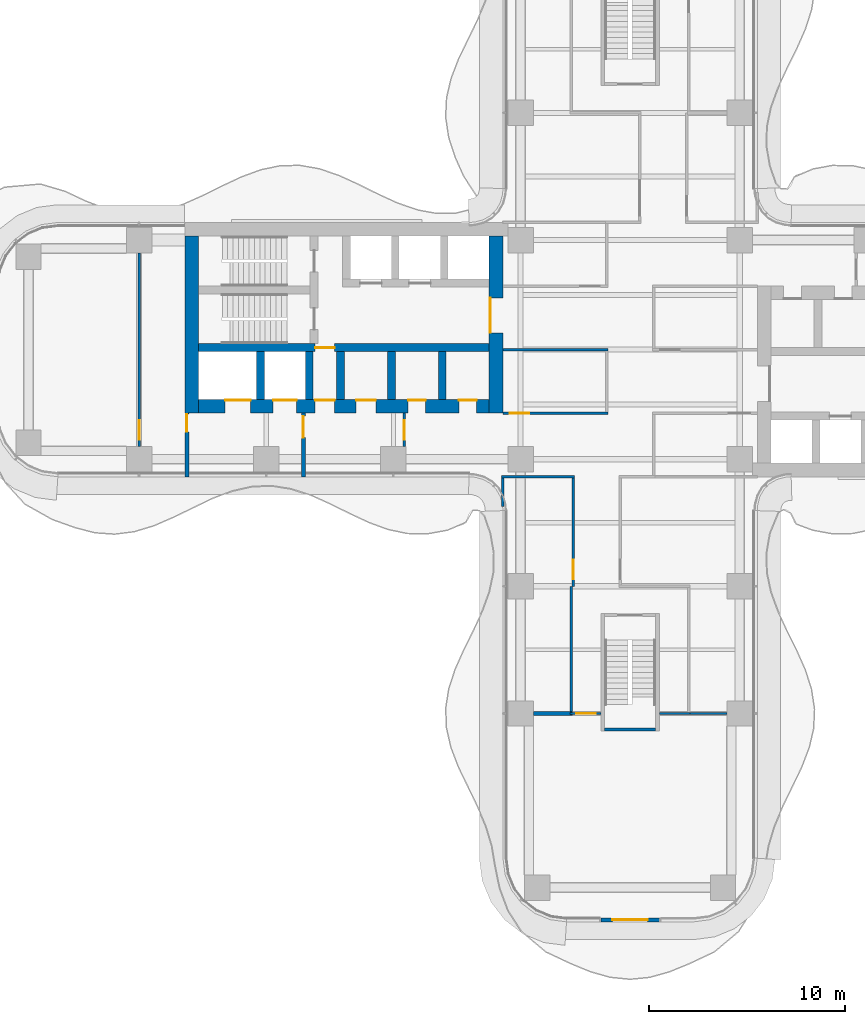
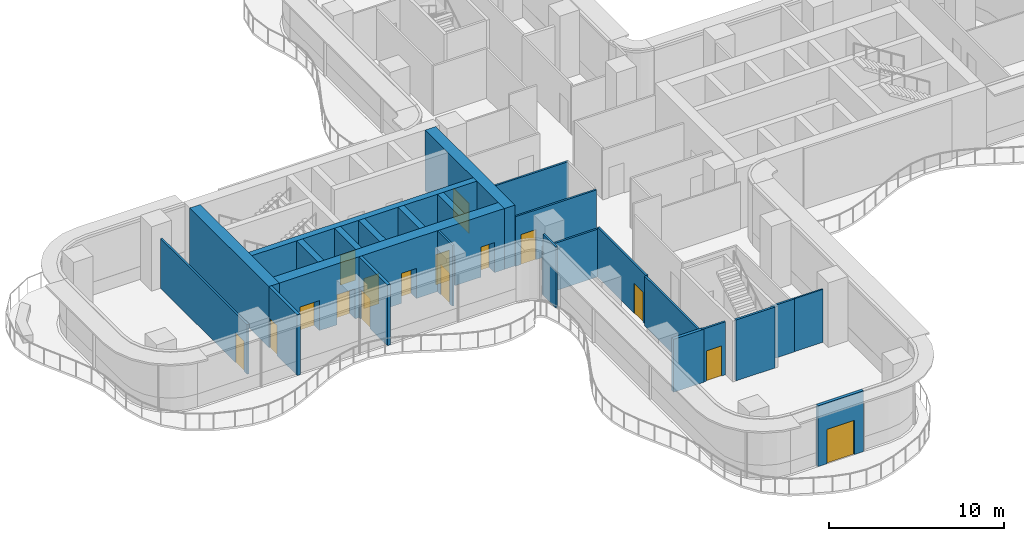
# One storey, part 16 of 21: 25 walls, 16 doors, 16 openings.
"""IFC4 building model written with IfcOpenShell, lengths in metres."""

from ifc_helpers import new_model, si_unit, direction, frame, frame_2d, origin, place, context, subcontext, project, spatial, rectangle, extrude, source, transform, mapped, material, layer, layer_set, type_object, element, fill, save


model = new_model("IFC4")

# Units and contexts
model_context = context("Model", 3, precision=1e-05, world=origin(), true_north=direction((0.0, 1.0)))
body_context = subcontext(model_context, "Body", "Model", "MODEL_VIEW")
ifc_project = project(units=[si_unit("LENGTHUNIT", "METRE"), si_unit("AREAUNIT", "SQUARE_METRE"), si_unit("VOLUMEUNIT", "CUBIC_METRE"), si_unit("PLANEANGLEUNIT", "RADIAN"), si_unit("MASSUNIT", "GRAM", prefix="KILO")], contexts=[model_context])

# Site, building, storey
site_placement = place(None, origin())
site = spatial("IfcSite", under=ifc_project, at=site_placement, CompositionType="ELEMENT")
building_placement = place(site_placement, origin())
building = spatial("IfcBuilding", under=site, at=building_placement, Name="Trellis Farm Tower", CompositionType="ELEMENT")
storey_placement = place(building_placement, frame((0.0, 0.0, 97.5)))
storey = spatial("IfcBuildingStorey", under=building, at=storey_placement, Name="L20", CompositionType="ELEMENT", Elevation=97.5)

# Wall, opening, door
ifc_material_1 = material(Name="Concrete C70/85", Category="concrete")
ifc_layer_1 = layer(ifc_material_1, 0.699951171875)
ifc_layer_set_1 = layer_set([ifc_layer_1], Name="CORE OUTER WALL 700 CONCRETE C70/85")
wall_type_1 = type_object("IfcWallType", Name="CORE OUTER WALL 700 CONCRETE C70/85", PredefinedType="SHEAR", material=ifc_layer_set_1)
shared_shape_1 = source(origin(), body_context, "Body", "SweptSolid", [
    extrude(rectangle(XDim=9.050048828125, YDim=0.699951171875, at=frame_2d((4.52490234375, 0.0))), origin(), (0.0, 0.0, 1.0), 4.25),
])
wall_1_placement = place(storey_placement, frame((-6.85009765625, 5.800048828125, 0.0), z_axis=(0.0, 0.0, 1.0), x_axis=(0.0, -1.0, 0.0)))
wall_1 = element("IfcWall", 1, at=wall_1_placement, inside=storey, type_object=wall_type_1, Name="Core wall", PredefinedType="SHEAR", context=body_context, shape_type="MappedRepresentation", body=[
    mapped(shared_shape_1, transform((0.0, 0.0, 0.0))),
])
shared_shape_2 = source(origin(), body_context, "Body", "SweptSolid", [
    extrude(rectangle(XDim=1.800048828125, YDim=2.10009765625, at=frame_2d((0.89990234375, 1.050048828125))), frame((0.0, 0.360107421875, 0.0), z_axis=(0.0, -1.0, 0.0), x_axis=(1.0, 0.0, 0.0)), (0.0, 0.0, 1.0), 0.72021484375),
])
opening_1_placement = place(wall_1_placement, frame((3.14990234375, 0.0, 0.0)))
opening_1 = element("IfcOpeningElement", 2, at=opening_1_placement, cuts=wall_1, Name="Opening DC87", PredefinedType="OPENING", context=body_context, shape_type="MappedRepresentation", body=[
    mapped(shared_shape_2, transform((0.0, 0.0, 0.0))),
])
ifc_material_2 = material(Name="Steel", Category="steel")
door_type_1 = type_object("IfcDoorType", Name="CORE FIRE DOOR DOUBLE 1800 X 2100", OperationType="DOUBLE_DOOR_SINGLE_SWING", PredefinedType="DOOR", material=ifc_material_2)
shared_shape_3 = source(origin(), body_context, "Body", "SweptSolid", [
    extrude(rectangle(XDim=1.800048828125, YDim=2.10009765625, at=frame_2d((0.89990234375, 1.050048828125))), frame((0.0, -0.27490234375, 0.0), z_axis=(0.0, -1.0, 0.0), x_axis=(1.0, 0.0, 0.0)), (0.0, 0.0, 1.0), 0.050048828125),
])
door_1_placement = place(opening_1_placement, origin())
door_1 = element("IfcDoor", 3, at=door_1_placement, inside=storey, type_object=door_type_1, Name="Core door", OperationType="DOUBLE_DOOR_SINGLE_SWING", OverallHeight=2.10009765625, OverallWidth=1.800048828125, PredefinedType="DOOR", context=body_context, shape_type="MappedRepresentation", body=[
    mapped(shared_shape_3, transform((0.0, 0.0, 0.0))),
])
fill(opening_1, door_1)

# Walls
wall_2_placement = place(storey_placement, frame((-22.39990234375, 5.800048828125, 0.0), z_axis=(0.0, 0.0, 1.0), x_axis=(0.0, -1.0, 0.0)))
element("IfcWall", 4, at=wall_2_placement, inside=storey, type_object=wall_type_1, Name="Core wall", PredefinedType="SHEAR", context=body_context, shape_type="MappedRepresentation", body=[
    mapped(shared_shape_1, transform((0.0, 0.0, 0.0))),
])
ifc_layer_2 = layer(ifc_material_1, 0.39990234375)
ifc_layer_set_2 = layer_set([ifc_layer_2], Name="CORE INNER WALL 400 CONCRETE C70/85")
wall_type_2 = type_object("IfcWallType", Name="CORE INNER WALL 400 CONCRETE C70/85", PredefinedType="SHEAR", material=ifc_layer_set_2)
shared_shape_4 = source(origin(), body_context, "Body", "SweptSolid", [
    extrude(rectangle(XDim=2.449951171875, YDim=0.39990234375, at=frame_2d((1.22509765625, 0.0))), origin(), (0.0, 0.0, 1.0), 4.25),
])
for number, where, z_axis, x_axis, name in (
    (5, (-9.60009765625, -0.10009765625, 0.0), (0.0, 0.0, 1.0), (0.0, -1.0, 0.0), "Core wall"),
    (6, (-12.199951171875, -0.10009765625, 0.0), (0.0, 0.0, 1.0), (0.0, -1.0, 0.0), "Core wall"),
    (7, (-14.800048828125, -0.10009765625, 0.0), (0.0, 0.0, 1.0), (0.0, -1.0, 0.0), "Core wall"),
    (8, (-16.39990234375, -0.10009765625, 0.0), (0.0, 0.0, 1.0), (0.0, -1.0, 0.0), "Core wall"),
    (9, (-18.89990234375, -0.10009765625, 0.0), (0.0, 0.0, 1.0), (0.0, -1.0, 0.0), "Core wall"),
):
    element("IfcWall", number, at=place(storey_placement, frame(where, z_axis=z_axis, x_axis=x_axis)), inside=storey, type_object=wall_type_2, Name=name, PredefinedType="SHEAR", context=body_context, shape_type="MappedRepresentation", body=[
        mapped(shared_shape_4, transform((0.0, 0.0, 0.0))),
    ])

# Wall, opening, door
ifc_material_3 = material(Name="Masonry blockwork", Category="masonry")
ifc_layer_3 = layer(ifc_material_3, 0.199951171875)
ifc_layer_set_3 = layer_set([ifc_layer_3], Name="FIRE LOBBY PARTITION 200 BLOCKWORK")
wall_type_3 = type_object("IfcWallType", Name="FIRE LOBBY PARTITION 200 BLOCKWORK", PredefinedType="PARTITIONING", material=ifc_layer_set_3)
shared_shape_5 = source(origin(), body_context, "Body", "SweptSolid", [
    extrude(rectangle(XDim=3.25, YDim=0.199951171875, at=frame_2d((1.625, 0.0))), origin(), (0.0, 0.0, 1.0), 4.25),
])
wall_3_placement = place(storey_placement, frame((-16.699951171875, -3.25, 0.0), z_axis=(0.0, 0.0, 1.0), x_axis=(0.0, -1.0, 0.0)))
wall_3 = element("IfcWall", 10, at=wall_3_placement, inside=storey, type_object=wall_type_3, Name="Fire-fighting lobby partition", PredefinedType="PARTITIONING", context=body_context, shape_type="MappedRepresentation", body=[
    mapped(shared_shape_5, transform((0.0, 0.0, 0.0))),
])
shared_shape_6 = source(origin(), body_context, "Body", "SweptSolid", [
    extrude(rectangle(XDim=1.10009765625, YDim=2.10009765625, at=frame_2d((0.550048828125, 1.050048828125))), frame((0.0, 0.110107421875, 0.0), z_axis=(0.0, -1.0, 0.0), x_axis=(1.0, 0.0, 0.0)), (0.0, 0.0, 1.0), 0.22021484375),
])
opening_2_placement = place(wall_3_placement, frame((0.14990234375, 0.0, 0.0)))
opening_2 = element("IfcOpeningElement", 11, at=opening_2_placement, cuts=wall_3, Name="Opening DC93", PredefinedType="OPENING", context=body_context, shape_type="MappedRepresentation", body=[
    mapped(shared_shape_6, transform((0.0, 0.0, 0.0))),
])
door_type_2 = type_object("IfcDoorType", Name="CORE FIRE DOOR 1100 X 2100", OperationType="NOTDEFINED", PredefinedType="DOOR", material=ifc_material_2)
shared_shape_7 = source(origin(), body_context, "Body", "SweptSolid", [
    extrude(rectangle(XDim=1.10009765625, YDim=2.10009765625, at=frame_2d((0.550048828125, 1.050048828125))), frame((0.0, 0.02490234375, 0.0), z_axis=(0.0, -1.0, 0.0), x_axis=(1.0, 0.0, 0.0)), (0.0, 0.0, 1.0), 0.050048828125),
])
door_2_placement = place(opening_2_placement, origin())
door_2 = element("IfcDoor", 12, at=door_2_placement, inside=storey, type_object=door_type_2, Name="Core door", OperationType="SINGLE_SWING_RIGHT", OverallHeight=2.10009765625, OverallWidth=1.10009765625, PredefinedType="DOOR", context=body_context, shape_type="MappedRepresentation", body=[
    mapped(shared_shape_7, transform((0.0, 0.0, 0.0))),
])
fill(opening_2, door_2)

wall_4_placement = place(storey_placement, frame((-22.64990234375, -3.25, 0.0), z_axis=(0.0, 0.0, 1.0), x_axis=(0.0, -1.0, 0.0)))
wall_4 = element("IfcWall", 13, at=wall_4_placement, inside=storey, type_object=wall_type_3, Name="Fire-fighting lobby partition", PredefinedType="PARTITIONING", context=body_context, shape_type="MappedRepresentation", body=[
    mapped(shared_shape_5, transform((0.0, 0.0, 0.0))),
])
shared_shape_8 = source(origin(), body_context, "Body", "SweptSolid", [
    extrude(rectangle(XDim=0.89990234375, YDim=2.10009765625, at=frame_2d((0.449951171875, 1.050048828125))), frame((0.0, 0.110107421875, 0.0), z_axis=(0.0, -1.0, 0.0), x_axis=(1.0, 0.0, 0.0)), (0.0, 0.0, 1.0), 0.22021484375),
])
opening_3_placement = place(wall_4_placement, frame((0.050048828125, 0.0, 0.0)))
opening_3 = element("IfcOpeningElement", 14, at=opening_3_placement, cuts=wall_4, Name="Opening DC94", PredefinedType="OPENING", context=body_context, shape_type="MappedRepresentation", body=[
    mapped(shared_shape_8, transform((0.0, 0.0, 0.0))),
])
door_type_3 = type_object("IfcDoorType", Name="CORE FIRE DOOR 900 X 2100", OperationType="NOTDEFINED", PredefinedType="DOOR", material=ifc_material_2)
shared_shape_9 = source(origin(), body_context, "Body", "SweptSolid", [
    extrude(rectangle(XDim=0.89990234375, YDim=2.10009765625, at=frame_2d((0.449951171875, 1.050048828125))), frame((0.0, 0.02490234375, 0.0), z_axis=(0.0, -1.0, 0.0), x_axis=(1.0, 0.0, 0.0)), (0.0, 0.0, 1.0), 0.050048828125),
])
door_3_placement = place(opening_3_placement, origin())
door_3 = element("IfcDoor", 15, at=door_3_placement, inside=storey, type_object=door_type_3, Name="Core door", OperationType="SINGLE_SWING_RIGHT", OverallHeight=2.10009765625, OverallWidth=0.89990234375, PredefinedType="DOOR", context=body_context, shape_type="MappedRepresentation", body=[
    mapped(shared_shape_9, transform((0.0, 0.0, 0.0))),
])
fill(opening_3, door_3)

# Wall, openings, doors
shared_shape_10 = source(origin(), body_context, "Body", "SweptSolid", [
    extrude(rectangle(XDim=14.85009765625, YDim=0.699951171875, at=frame_2d((7.425048828125, 0.0))), origin(), (0.0, 0.0, 1.0), 4.25),
])
wall_5_placement = place(storey_placement, frame((-7.199951171875, -2.89990234375, 0.0), z_axis=(0.0, 0.0, 1.0), x_axis=(-1.0, 0.0, 0.0)))
wall_5 = element("IfcWall", 16, at=wall_5_placement, inside=storey, type_object=wall_type_1, Name="Core wall", PredefinedType="SHEAR", context=body_context, shape_type="MappedRepresentation", body=[
    mapped(shared_shape_10, transform((0.0, 0.0, 0.0))),
])
shared_shape_11 = source(origin(), body_context, "Body", "SweptSolid", [
    extrude(rectangle(XDim=1.300048828125, YDim=2.10009765625, at=frame_2d((0.64990234375, 1.050048828125))), frame((0.0, 0.360107421875, 0.0), z_axis=(0.0, -1.0, 0.0), x_axis=(1.0, 0.0, 0.0)), (0.0, 0.0, 1.0), 0.72021484375),
])
opening_4_placement = place(wall_5_placement, frame((12.199951171875, 0.0, 0.0)))
opening_4 = element("IfcOpeningElement", 17, at=opening_4_placement, cuts=wall_5, Name="Opening LD15", PredefinedType="OPENING", context=body_context, shape_type="MappedRepresentation", body=[
    mapped(shared_shape_11, transform((0.0, 0.0, 0.0))),
])
shared_shape_12 = source(origin(), body_context, "Body", "SweptSolid", [
    extrude(rectangle(XDim=1.199951171875, YDim=2.10009765625, at=frame_2d((0.60009765625, 1.050048828125))), frame((0.0, 0.360107421875, 0.0), z_axis=(0.0, -1.0, 0.0), x_axis=(1.0, 0.0, 0.0)), (0.0, 0.0, 1.0), 0.72021484375),
])
opening_5_placement = place(wall_5_placement, frame((9.85009765625, 0.0, 0.0)))
opening_5 = element("IfcOpeningElement", 18, at=opening_5_placement, cuts=wall_5, Name="Opening LD16", PredefinedType="OPENING", context=body_context, shape_type="MappedRepresentation", body=[
    mapped(shared_shape_12, transform((0.0, 0.0, 0.0))),
])
shared_shape_13 = source(origin(), body_context, "Body", "SweptSolid", [
    extrude(rectangle(XDim=1.0, YDim=2.10009765625, at=frame_2d((0.5, 1.050048828125))), frame((0.0, 0.360107421875, 0.0), z_axis=(0.0, -1.0, 0.0), x_axis=(1.0, 0.0, 0.0)), (0.0, 0.0, 1.0), 0.72021484375),
])
opening_6_placement = place(wall_5_placement, frame((7.89990234375, 0.0, 0.0)))
opening_6 = element("IfcOpeningElement", 19, at=opening_6_placement, cuts=wall_5, Name="Opening DC92", PredefinedType="OPENING", context=body_context, shape_type="MappedRepresentation", body=[
    mapped(shared_shape_13, transform((0.0, 0.0, 0.0))),
])
shared_shape_14 = source(origin(), body_context, "Body", "SweptSolid", [
    extrude(rectangle(XDim=0.89990234375, YDim=2.10009765625, at=frame_2d((0.449951171875, 1.050048828125))), frame((0.0, 0.360107421875, 0.0), z_axis=(0.0, -1.0, 0.0), x_axis=(1.0, 0.0, 0.0)), (0.0, 0.0, 1.0), 0.72021484375),
])
opening_7_placement = place(wall_5_placement, frame((0.64990234375, 0.0, 0.0)))
opening_7 = element("IfcOpeningElement", 20, at=opening_7_placement, cuts=wall_5, Name="Opening DC97", PredefinedType="OPENING", context=body_context, shape_type="MappedRepresentation", body=[
    mapped(shared_shape_14, transform((0.0, 0.0, 0.0))),
])
opening_8_placement = place(wall_5_placement, frame((3.25, 0.0, 0.0)))
opening_8 = element("IfcOpeningElement", 21, at=opening_8_placement, cuts=wall_5, Name="Opening DC110", PredefinedType="OPENING", context=body_context, shape_type="MappedRepresentation", body=[
    mapped(shared_shape_14, transform((0.0, 0.0, 0.0))),
])
opening_9_placement = place(wall_5_placement, frame((5.800048828125, 0.0, 0.0)))
opening_9 = element("IfcOpeningElement", 22, at=opening_9_placement, cuts=wall_5, Name="Opening DC123", PredefinedType="OPENING", context=body_context, shape_type="MappedRepresentation", body=[
    mapped(shared_shape_13, transform((0.0, 0.0, 0.0))),
])
door_type_4 = type_object("IfcDoorType", Name="CORE FIRE DOOR 1000 X 2100", OperationType="NOTDEFINED", PredefinedType="DOOR", material=ifc_material_2)
shared_shape_15 = source(origin(), body_context, "Body", "SweptSolid", [
    extrude(rectangle(XDim=1.0, YDim=2.10009765625, at=frame_2d((0.5, 1.050048828125))), frame((0.0, -0.27490234375, 0.0), z_axis=(0.0, -1.0, 0.0), x_axis=(1.0, 0.0, 0.0)), (0.0, 0.0, 1.0), 0.050048828125),
])
door_4_placement = place(opening_6_placement, origin())
door_4 = element("IfcDoor", 23, at=door_4_placement, inside=storey, type_object=door_type_4, Name="Core door", OperationType="SINGLE_SWING_LEFT", OverallHeight=2.10009765625, OverallWidth=1.0, PredefinedType="DOOR", context=body_context, shape_type="MappedRepresentation", body=[
    mapped(shared_shape_15, transform((0.0, 0.0, 0.0))),
])
fill(opening_6, door_4)
door_5_placement = place(opening_9_placement, origin())
door_5 = element("IfcDoor", 24, at=door_5_placement, inside=storey, type_object=door_type_4, Name="Core door", OperationType="SINGLE_SWING_LEFT", OverallHeight=2.10009765625, OverallWidth=1.0, PredefinedType="DOOR", context=body_context, shape_type="MappedRepresentation", body=[
    mapped(shared_shape_15, transform((0.0, 0.0, 0.0))),
])
fill(opening_9, door_5)
shared_shape_16 = source(origin(), body_context, "Body", "SweptSolid", [
    extrude(rectangle(XDim=0.89990234375, YDim=2.10009765625, at=frame_2d((0.449951171875, 1.050048828125))), frame((0.0, -0.27490234375, 0.0), z_axis=(0.0, -1.0, 0.0), x_axis=(1.0, 0.0, 0.0)), (0.0, 0.0, 1.0), 0.050048828125),
])
door_6_placement = place(opening_7_placement, origin())
door_6 = element("IfcDoor", 25, at=door_6_placement, inside=storey, type_object=door_type_3, Name="Core door", OperationType="SINGLE_SWING_LEFT", OverallHeight=2.10009765625, OverallWidth=0.89990234375, PredefinedType="DOOR", context=body_context, shape_type="MappedRepresentation", body=[
    mapped(shared_shape_16, transform((0.0, 0.0, 0.0))),
])
fill(opening_7, door_6)
door_7_placement = place(opening_8_placement, origin())
door_7 = element("IfcDoor", 26, at=door_7_placement, inside=storey, type_object=door_type_3, Name="Core door", OperationType="SINGLE_SWING_RIGHT", OverallHeight=2.10009765625, OverallWidth=0.89990234375, PredefinedType="DOOR", context=body_context, shape_type="MappedRepresentation", body=[
    mapped(shared_shape_16, transform((0.0, 0.0, 0.0))),
])
fill(opening_8, door_7)
ifc_material_4 = material(Name="Stainless steel", Category="steel")
door_type_5 = type_object("IfcDoorType", Name="LIFT LANDING DOOR 1300 X 2100", OperationType="DOUBLE_DOOR_SLIDING", PredefinedType="DOOR", material=ifc_material_4)
shared_shape_17 = source(origin(), body_context, "Body", "SweptSolid", [
    extrude(rectangle(XDim=1.300048828125, YDim=2.10009765625, at=frame_2d((0.64990234375, 1.050048828125))), frame((0.0, -0.27490234375, 0.0), z_axis=(0.0, -1.0, 0.0), x_axis=(1.0, 0.0, 0.0)), (0.0, 0.0, 1.0), 0.050048828125),
])
door_8_placement = place(opening_4_placement, origin())
door_8 = element("IfcDoor", 27, at=door_8_placement, inside=storey, type_object=door_type_5, Name="Lift landing door", OperationType="DOUBLE_DOOR_SLIDING", OverallHeight=2.10009765625, OverallWidth=1.300048828125, PredefinedType="DOOR", context=body_context, shape_type="MappedRepresentation", body=[
    mapped(shared_shape_17, transform((0.0, 0.0, 0.0))),
])
fill(opening_4, door_8)
door_type_6 = type_object("IfcDoorType", Name="LIFT LANDING DOOR 1200 X 2100", OperationType="DOUBLE_DOOR_SLIDING", PredefinedType="DOOR", material=ifc_material_4)
shared_shape_18 = source(origin(), body_context, "Body", "SweptSolid", [
    extrude(rectangle(XDim=1.199951171875, YDim=2.10009765625, at=frame_2d((0.60009765625, 1.050048828125))), frame((0.0, -0.27490234375, 0.0), z_axis=(0.0, -1.0, 0.0), x_axis=(1.0, 0.0, 0.0)), (0.0, 0.0, 1.0), 0.050048828125),
])
door_9_placement = place(opening_5_placement, origin())
door_9 = element("IfcDoor", 28, at=door_9_placement, inside=storey, type_object=door_type_6, Name="Lift landing door", OperationType="DOUBLE_DOOR_SLIDING", OverallHeight=2.10009765625, OverallWidth=1.199951171875, PredefinedType="DOOR", context=body_context, shape_type="MappedRepresentation", body=[
    mapped(shared_shape_18, transform((0.0, 0.0, 0.0))),
])
fill(opening_5, door_9)

# Wall, opening, door
shared_shape_19 = source(origin(), body_context, "Body", "SweptSolid", [
    extrude(rectangle(XDim=14.85009765625, YDim=0.39990234375, at=frame_2d((7.425048828125, 0.0))), origin(), (0.0, 0.0, 1.0), 4.25),
])
wall_6_placement = place(storey_placement, frame((-7.199951171875, 0.10009765625, 0.0), z_axis=(0.0, 0.0, 1.0), x_axis=(-1.0, 0.0, 0.0)))
wall_6 = element("IfcWall", 29, at=wall_6_placement, inside=storey, type_object=wall_type_2, Name="Core wall", PredefinedType="SHEAR", context=body_context, shape_type="MappedRepresentation", body=[
    mapped(shared_shape_19, transform((0.0, 0.0, 0.0))),
])
shared_shape_20 = source(origin(), body_context, "Body", "SweptSolid", [
    extrude(rectangle(XDim=1.0, YDim=2.10009765625, at=frame_2d((0.5, 1.050048828125))), frame((0.0, 0.2099609375, 0.0), z_axis=(0.0, -1.0, 0.0), x_axis=(1.0, 0.0, 0.0)), (0.0, 0.0, 1.0), 0.419921875),
])
opening_10_placement = place(wall_6_placement, frame((7.89990234375, 0.0, 0.0)))
opening_10 = element("IfcOpeningElement", 30, at=opening_10_placement, cuts=wall_6, Name="Opening DC91", PredefinedType="OPENING", context=body_context, shape_type="MappedRepresentation", body=[
    mapped(shared_shape_20, transform((0.0, 0.0, 0.0))),
])
shared_shape_21 = source(origin(), body_context, "Body", "SweptSolid", [
    extrude(rectangle(XDim=1.0, YDim=2.10009765625, at=frame_2d((0.5, 1.050048828125))), frame((0.0, 0.02490234375, 0.0), z_axis=(0.0, -1.0, 0.0), x_axis=(1.0, 0.0, 0.0)), (0.0, 0.0, 1.0), 0.050048828125),
])
door_10_placement = place(opening_10_placement, origin())
door_10 = element("IfcDoor", 31, at=door_10_placement, inside=storey, type_object=door_type_4, Name="Core door", OperationType="SINGLE_SWING_RIGHT", OverallHeight=2.10009765625, OverallWidth=1.0, PredefinedType="DOOR", context=body_context, shape_type="MappedRepresentation", body=[
    mapped(shared_shape_21, transform((0.0, 0.0, 0.0))),
])
fill(opening_10, door_10)

# Wall
ifc_layer_4 = layer(ifc_material_1, 0.14990234375)
ifc_layer_set_4 = layer_set([ifc_layer_4], Name="CORE STAIR ENCLOSURE WALL 150 CONCRETE C70/85")
wall_type_4 = type_object("IfcWallType", Name="CORE STAIR ENCLOSURE WALL 150 CONCRETE C70/85", PredefinedType="SHEAR", material=ifc_layer_set_4)
shared_shape_22 = source(origin(), body_context, "Body", "SweptSolid", [
    extrude(rectangle(XDim=2.60009765625, YDim=0.14990234375, at=frame_2d((1.300048828125, 0.0))), origin(), (0.0, 0.0, 1.0), 4.25),
])
wall_7_placement = place(storey_placement, frame((1.300048828125, -19.425048828125, 0.0), z_axis=(0.0, 0.0, 1.0), x_axis=(-1.0, 0.0, 0.0)))
element("IfcWall", 32, at=wall_7_placement, inside=storey, type_object=wall_type_4, Name="Stair enclosure wall", PredefinedType="SHEAR", context=body_context, shape_type="MappedRepresentation", body=[
    mapped(shared_shape_22, transform((0.0, 0.0, 0.0))),
])

# Wall, opening, door
ifc_material_5 = material(Name="Sandstone faced insulated wall", Category="masonry")
ifc_layer_5 = layer(ifc_material_5, 0.199951171875)
ifc_layer_set_5 = layer_set([ifc_layer_5], Name="EXTERNAL INFILL WALL 200")
wall_type_5 = type_object("IfcWallType", Name="EXTERNAL INFILL WALL 200", PredefinedType="SOLIDWALL", material=ifc_layer_set_5)
shared_shape_23 = source(origin(), body_context, "Body", "SweptSolid", [
    extrude(rectangle(XDim=3.0, YDim=0.199951171875, at=frame_2d((1.5, 0.0))), origin(), (0.0, 0.0, 1.0), 4.25),
])
wall_8_placement = place(storey_placement, frame((-1.5, -29.14990234375, 0.0), z_axis=(0.0, 0.0, 1.0), x_axis=(1.0, 0.0, 0.0)))
wall_8 = element("IfcWall", 33, at=wall_8_placement, inside=storey, type_object=wall_type_5, Name="EW1 01", PredefinedType="SOLIDWALL", context=body_context, shape_type="MappedRepresentation", body=[
    mapped(shared_shape_23, transform((0.0, 0.0, 0.0))),
])
shared_shape_24 = source(origin(), body_context, "Body", "SweptSolid", [
    extrude(rectangle(XDim=1.800048828125, YDim=2.39990234375, at=frame_2d((0.89990234375, 1.199951171875))), frame((0.0, 0.110107421875, 0.0), z_axis=(0.0, -1.0, 0.0), x_axis=(1.0, 0.0, 0.0)), (0.0, 0.0, 1.0), 0.22021484375),
])
opening_11_placement = place(wall_8_placement, frame((0.60009765625, 0.0, 0.0)))
opening_11 = element("IfcOpeningElement", 34, at=opening_11_placement, cuts=wall_8, Name="Opening ED1", PredefinedType="OPENING", context=body_context, shape_type="MappedRepresentation", body=[
    mapped(shared_shape_24, transform((0.0, 0.0, 0.0))),
])
ifc_material_6 = material(Name="Aluminium framed glazed door", Category="aluminium")
door_type_7 = type_object("IfcDoorType", Name="BALCONY DOOR 1800x2400", OperationType="DOUBLE_DOOR_SINGLE_SWING", PredefinedType="DOOR", material=ifc_material_6)
shared_shape_25 = source(origin(), body_context, "Body", "SweptSolid", [
    extrude(rectangle(XDim=1.800048828125, YDim=2.39990234375, at=frame_2d((0.89990234375, 1.199951171875))), frame((0.0, 0.02490234375, 0.0), z_axis=(0.0, -1.0, 0.0), x_axis=(1.0, 0.0, 0.0)), (0.0, 0.0, 1.0), 0.050048828125),
])
door_11_placement = place(opening_11_placement, origin())
door_11 = element("IfcDoor", 35, at=door_11_placement, inside=storey, type_object=door_type_7, Name="Balcony door", OperationType="DOUBLE_DOOR_SINGLE_SWING", OverallHeight=2.39990234375, OverallWidth=1.800048828125, PredefinedType="DOOR", context=body_context, shape_type="MappedRepresentation", body=[
    mapped(shared_shape_25, transform((0.0, 0.0, 0.0))),
])
fill(opening_11, door_11)

# Wall
ifc_material_7 = material(Name="Plasterboard on steel studs, mineral wool", Category="steel")
ifc_layer_6 = layer(ifc_material_7, 0.125)
ifc_layer_set_6 = layer_set([ifc_layer_6], Name="PARTITION 125 STUD EI 60")
wall_type_6 = type_object("IfcWallType", Name="PARTITION 125 STUD EI 60", PredefinedType="PARTITIONING", material=ifc_layer_set_6)
shared_shape_26 = source(origin(), body_context, "Body", "SweptSolid", [
    extrude(rectangle(XDim=1.468994140625, YDim=0.125, at=frame_2d((0.734375, 0.0))), origin(), (0.0, 0.0, 1.0), 4.25),
])
wall_9_placement = place(storey_placement, frame((-6.5, -6.5625, 0.0), z_axis=(0.0, 0.0, 1.0), x_axis=(0.0, -1.0, 0.0)))
element("IfcWall", 36, at=wall_9_placement, inside=storey, type_object=wall_type_6, Name="Partition PW1", PredefinedType="PARTITIONING", context=body_context, shape_type="MappedRepresentation", body=[
    mapped(shared_shape_26, transform((0.0, 0.0, 0.0))),
])

# Wall, opening, door
shared_shape_27 = source(origin(), body_context, "Body", "SweptSolid", [
    extrude(rectangle(XDim=5.362548828125, YDim=0.125, at=frame_2d((2.68115234375, 0.0))), origin(), (0.0, 0.0, 1.0), 3.4677734375),
])
wall_10_placement = place(storey_placement, frame((-1.137451171875, -3.25, 0.0), z_axis=(0.0, 0.0, 1.0), x_axis=(-1.0, 0.0, 0.0)))
wall_10 = element("IfcWall", 37, at=wall_10_placement, inside=storey, type_object=wall_type_6, Name="Partition PW1", PredefinedType="PARTITIONING", context=body_context, shape_type="MappedRepresentation", body=[
    mapped(shared_shape_27, transform((0.0, 0.0, 0.0))),
])
shared_shape_28 = source(origin(), body_context, "Body", "SweptSolid", [
    extrude(rectangle(XDim=1.0, YDim=2.10009765625, at=frame_2d((0.5, 1.050048828125))), frame((0.0, 0.072509765625, 0.0), z_axis=(0.0, -1.0, 0.0), x_axis=(1.0, 0.0, 0.0)), (0.0, 0.0, 1.0), 0.14501953125),
])
opening_12_placement = place(wall_10_placement, frame((4.012451171875, 0.0, 0.0)))
opening_12 = element("IfcOpeningElement", 38, at=opening_12_placement, cuts=wall_10, Name="Opening D104", PredefinedType="OPENING", context=body_context, shape_type="MappedRepresentation", body=[
    mapped(shared_shape_28, transform((0.0, 0.0, 0.0))),
])
ifc_material_8 = material(Name="Fire-rated timber door leaf in a hollow metal frame", Category="wood")
door_type_8 = type_object("IfcDoorType", Name="DOOR 1000x2100 FD30S", OperationType="NOTDEFINED", PredefinedType="DOOR", material=ifc_material_8)
door_12_placement = place(opening_12_placement, origin())
door_12 = element("IfcDoor", 39, at=door_12_placement, inside=storey, type_object=door_type_8, Name="Door D104", OperationType="SINGLE_SWING_RIGHT", OverallHeight=2.10009765625, OverallWidth=1.0, PredefinedType="DOOR", context=body_context, shape_type="MappedRepresentation", body=[
    mapped(shared_shape_21, transform((0.0, 0.0, 0.0))),
])
fill(opening_12, door_12)

# Wall
wall_11_placement = place(storey_placement, frame((-1.137451171875, 0.0, 0.0), z_axis=(0.0, 0.0, 1.0), x_axis=(-1.0, 0.0, 0.0)))
element("IfcWall", 40, at=wall_11_placement, inside=storey, type_object=wall_type_6, Name="Partition PW1", PredefinedType="PARTITIONING", context=body_context, shape_type="MappedRepresentation", body=[
    mapped(shared_shape_27, transform((0.0, 0.0, 0.0))),
])

# Wall, opening, door
shared_shape_29 = source(origin(), body_context, "Body", "SweptSolid", [
    extrude(rectangle(XDim=1.5625, YDim=0.125, at=frame_2d((0.78125, 0.0))), origin(), (0.0, 0.0, 1.0), 3.697021484375),
])
wall_12_placement = place(storey_placement, frame((-1.5, -18.60009765625, 0.0), z_axis=(0.0, 0.0, 1.0), x_axis=(-1.0, 0.0, 0.0)))
wall_12 = element("IfcWall", 41, at=wall_12_placement, inside=storey, type_object=wall_type_6, Name="Partition PW1", PredefinedType="PARTITIONING", context=body_context, shape_type="MappedRepresentation", body=[
    mapped(shared_shape_29, transform((0.0, 0.0, 0.0))),
])
opening_13_placement = place(wall_12_placement, frame((0.25, 0.0, 0.0)))
opening_13 = element("IfcOpeningElement", 42, at=opening_13_placement, cuts=wall_12, Name="Opening D101", PredefinedType="OPENING", context=body_context, shape_type="MappedRepresentation", body=[
    mapped(shared_shape_28, transform((0.0, 0.0, 0.0))),
])
door_13_placement = place(opening_13_placement, origin())
door_13 = element("IfcDoor", 43, at=door_13_placement, inside=storey, type_object=door_type_8, Name="Door D101", OperationType="SINGLE_SWING_LEFT", OverallHeight=2.10009765625, OverallWidth=1.0, PredefinedType="DOOR", context=body_context, shape_type="MappedRepresentation", body=[
    mapped(shared_shape_21, transform((0.0, 0.0, 0.0))),
])
fill(opening_13, door_13)

# Wall
wall_13_placement = place(storey_placement, frame((3.0625, -18.60009765625, 0.0), z_axis=(0.0, 0.0, 1.0), x_axis=(-1.0, 0.0, 0.0)))
element("IfcWall", 44, at=wall_13_placement, inside=storey, type_object=wall_type_6, Name="Partition PW1", PredefinedType="PARTITIONING", context=body_context, shape_type="MappedRepresentation", body=[
    mapped(shared_shape_29, transform((0.0, 0.0, 0.0))),
])

# Wall, opening, door
shared_shape_30 = source(origin(), body_context, "Body", "SweptSolid", [
    extrude(rectangle(XDim=5.53759765625, YDim=0.125, at=frame_2d((2.768798828125, 0.0))), origin(), (0.0, 0.0, 1.0), 3.4677734375),
])
wall_14_placement = place(storey_placement, frame((-2.89990234375, -12.10009765625, 0.0), z_axis=(0.0, 0.0, 1.0), x_axis=(0.0, 1.0, 0.0)))
wall_14 = element("IfcWall", 45, at=wall_14_placement, inside=storey, type_object=wall_type_6, Name="Partition PW1", PredefinedType="PARTITIONING", context=body_context, shape_type="MappedRepresentation", body=[
    mapped(shared_shape_30, transform((0.0, 0.0, 0.0))),
])
opening_14_placement = place(wall_14_placement, frame((0.35009765625, 0.0, 0.0)))
opening_14 = element("IfcOpeningElement", 46, at=opening_14_placement, cuts=wall_14, Name="Opening D301", PredefinedType="OPENING", context=body_context, shape_type="MappedRepresentation", body=[
    mapped(shared_shape_28, transform((0.0, 0.0, 0.0))),
])
door_type_9 = type_object("IfcDoorType", Name="DOOR 1000x2100 FD60", OperationType="NOTDEFINED", PredefinedType="DOOR", material=ifc_material_8)
door_14_placement = place(opening_14_placement, origin())
door_14 = element("IfcDoor", 47, at=door_14_placement, inside=storey, type_object=door_type_9, Name="Door D301", OperationType="SINGLE_SWING_LEFT", OverallHeight=2.10009765625, OverallWidth=1.0, PredefinedType="DOOR", context=body_context, shape_type="MappedRepresentation", body=[
    mapped(shared_shape_21, transform((0.0, 0.0, 0.0))),
])
fill(opening_14, door_14)

shared_shape_31 = source(origin(), body_context, "Body", "SweptSolid", [
    extrude(rectangle(XDim=1.699951171875, YDim=0.125, at=frame_2d((0.85009765625, 0.0))), origin(), (0.0, 0.0, 1.0), 4.25),
])
wall_15_placement = place(storey_placement, frame((-11.550048828125, -4.949951171875, 0.0), z_axis=(0.0, 0.0, 1.0), x_axis=(0.0, 1.0, 0.0)))
wall_15 = element("IfcWall", 48, at=wall_15_placement, inside=storey, type_object=wall_type_6, Name="Partition PW1", PredefinedType="PARTITIONING", context=body_context, shape_type="MappedRepresentation", body=[
    mapped(shared_shape_31, transform((0.0, 0.0, 0.0))),
])
opening_15_placement = place(wall_15_placement, frame((0.35009765625, 0.0, 0.0)))
opening_15 = element("IfcOpeningElement", 49, at=opening_15_placement, cuts=wall_15, Name="Opening D302", PredefinedType="OPENING", context=body_context, shape_type="MappedRepresentation", body=[
    mapped(shared_shape_28, transform((0.0, 0.0, 0.0))),
])
door_15_placement = place(opening_15_placement, origin())
door_15 = element("IfcDoor", 50, at=door_15_placement, inside=storey, type_object=door_type_9, Name="Door D302", OperationType="SINGLE_SWING_LEFT", OverallHeight=2.10009765625, OverallWidth=1.0, PredefinedType="DOOR", context=body_context, shape_type="MappedRepresentation", body=[
    mapped(shared_shape_21, transform((0.0, 0.0, 0.0))),
])
fill(opening_15, door_15)

# Walls
shared_shape_32 = source(origin(), body_context, "Body", "SweptSolid", [
    extrude(rectangle(XDim=3.72509765625, YDim=0.125, at=frame_2d((1.862548828125, 0.0))), origin(), (0.0, 0.0, 1.0), 3.330078125),
])
wall_16_placement = place(storey_placement, frame((-2.83740234375, -6.5, 0.0), z_axis=(0.0, 0.0, 1.0), x_axis=(-1.0, 0.0, 0.0)))
element("IfcWall", 51, at=wall_16_placement, inside=storey, type_object=wall_type_6, Name="Partition PW1", PredefinedType="PARTITIONING", context=body_context, shape_type="MappedRepresentation", body=[
    mapped(shared_shape_32, transform((0.0, 0.0, 0.0))),
])
ifc_material_9 = material(Name="Lightweight blockwork, plastered", Category="masonry")
ifc_layer_7 = layer(ifc_material_9, 0.199951171875)
ifc_layer_set_7 = layer_set([ifc_layer_7], Name="BLOCK WALL 200 EI 120")
wall_type_7 = type_object("IfcWallType", Name="BLOCK WALL 200 EI 120", PredefinedType="PARTITIONING", material=ifc_layer_set_7)
shared_shape_33 = source(origin(), body_context, "Body", "SweptSolid", [
    extrude(rectangle(XDim=2.012451171875, YDim=0.199951171875, at=frame_2d((1.00634765625, 0.0))), origin(), (0.0, 0.0, 1.0), 3.697021484375),
])
wall_17_placement = place(storey_placement, frame((-4.949951171875, -18.60009765625, 0.0), z_axis=(0.0, 0.0, 1.0), x_axis=(1.0, 0.0, 0.0)))
element("IfcWall", 52, at=wall_17_placement, inside=storey, type_object=wall_type_7, Name="Partition PW3", PredefinedType="PARTITIONING", context=body_context, shape_type="MappedRepresentation", body=[
    mapped(shared_shape_33, transform((0.0, 0.0, 0.0))),
])
ifc_material_10 = material(Name="Plasterboard on steel studs", Category="steel")
ifc_layer_8 = layer(ifc_material_10, 0.10009765625)
ifc_layer_set_8 = layer_set([ifc_layer_8], Name="PARTITION 100 STUD EI 30")
wall_type_8 = type_object("IfcWallType", Name="PARTITION 100 STUD EI 30", PredefinedType="PARTITIONING", material=ifc_layer_set_8)
shared_shape_34 = source(origin(), body_context, "Body", "SweptSolid", [
    extrude(rectangle(XDim=2.012451171875, YDim=0.10009765625, at=frame_2d((1.00634765625, 0.0))), origin(), (0.0, 0.0, 1.0), 3.697021484375),
])
wall_18_placement = place(storey_placement, frame((2.9375, -18.60009765625, 0.0), z_axis=(0.0, 0.0, 1.0), x_axis=(1.0, 0.0, 0.0)))
element("IfcWall", 53, at=wall_18_placement, inside=storey, type_object=wall_type_8, Name="Partition PW2", PredefinedType="PARTITIONING", context=body_context, shape_type="MappedRepresentation", body=[
    mapped(shared_shape_34, transform((0.0, 0.0, 0.0))),
])

# Wall, opening, door
shared_shape_35 = source(origin(), body_context, "Body", "SweptSolid", [
    extrude(rectangle(XDim=9.89990234375, YDim=0.125, at=frame_2d((4.949951171875, 0.0))), origin(), (0.0, 0.0, 1.0), 3.4677734375),
])
wall_19_placement = place(storey_placement, frame((-25.10009765625, -4.949951171875, 0.0), z_axis=(0.0, 0.0, 1.0), x_axis=(0.0, 1.0, 0.0)))
wall_19 = element("IfcWall", 54, at=wall_19_placement, inside=storey, type_object=wall_type_6, Name="Partition PW1", PredefinedType="PARTITIONING", context=body_context, shape_type="MappedRepresentation", body=[
    mapped(shared_shape_35, transform((0.0, 0.0, 0.0))),
])
opening_16_placement = place(wall_19_placement, frame((0.35009765625, 0.0, 0.0)))
opening_16 = element("IfcOpeningElement", 55, at=opening_16_placement, cuts=wall_19, Name="Opening D103", PredefinedType="OPENING", context=body_context, shape_type="MappedRepresentation", body=[
    mapped(shared_shape_28, transform((0.0, 0.0, 0.0))),
])
door_16_placement = place(opening_16_placement, origin())
door_16 = element("IfcDoor", 56, at=door_16_placement, inside=storey, type_object=door_type_8, Name="Door D103", OperationType="SINGLE_SWING_LEFT", OverallHeight=2.10009765625, OverallWidth=1.0, PredefinedType="DOOR", context=body_context, shape_type="MappedRepresentation", body=[
    mapped(shared_shape_21, transform((0.0, 0.0, 0.0))),
])
fill(opening_16, door_16)

# Wall
shared_shape_36 = source(origin(), body_context, "Body", "SweptSolid", [
    extrude(rectangle(XDim=6.39990234375, YDim=0.125, at=frame_2d((3.199951171875, 0.0))), origin(), (0.0, 0.0, 1.0), 3.4677734375),
])
wall_20_placement = place(storey_placement, frame((-3.0, -18.5, 0.0), z_axis=(0.0, 0.0, 1.0), x_axis=(0.0, 1.0, 0.0)))
element("IfcWall", 57, at=wall_20_placement, inside=storey, type_object=wall_type_6, Name="Partition PW1", PredefinedType="PARTITIONING", context=body_context, shape_type="MappedRepresentation", body=[
    mapped(shared_shape_36, transform((0.0, 0.0, 0.0))),
])

save(model, "model.ifc")
